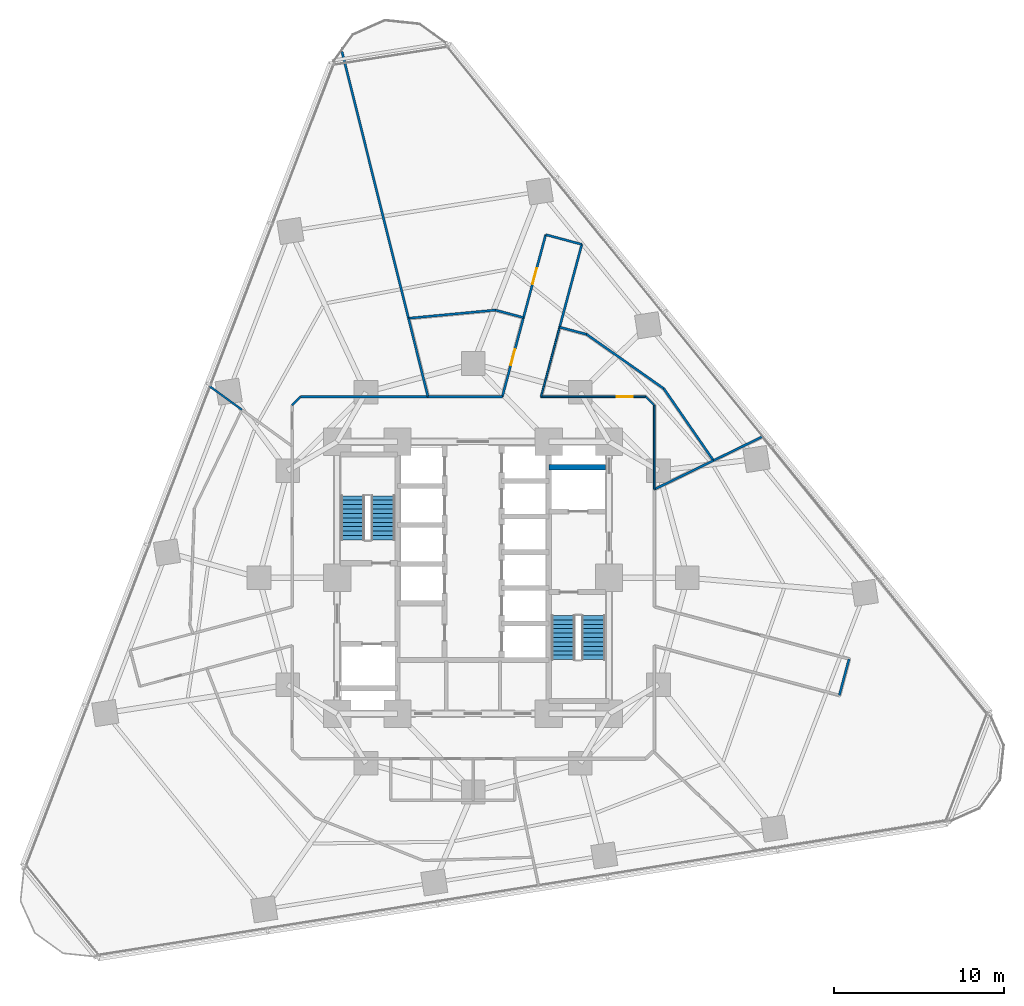
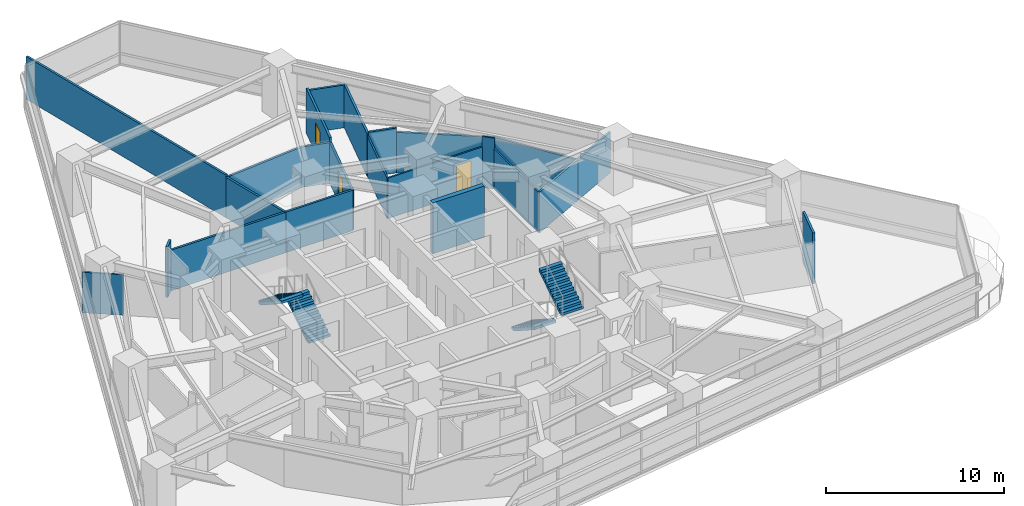
# One storey, part 9 of 14: 23 walls, 4 stair flights, 3 doors, 3 openings, 2 elements without a shape of their own.
"""IFC4 building model written with IfcOpenShell, lengths in metres."""

from ifc_helpers import new_model, si_unit, direction, frame, frame_2d, origin, place, context, subcontext, project, spatial, polyline, rectangle, outline, extrude, material, layer, layer_set, type_object, element, fill, aggregate, save


model = new_model("IFC4")

# Units and contexts
model_context = context("Model", 3, precision=1e-05, world=origin(), true_north=direction((0.0, 1.0)))
body_context = subcontext(model_context, "Body", "Model", "MODEL_VIEW")
ifc_project = project(units=[si_unit("LENGTHUNIT", "METRE"), si_unit("AREAUNIT", "SQUARE_METRE"), si_unit("VOLUMEUNIT", "CUBIC_METRE"), si_unit("PLANEANGLEUNIT", "RADIAN"), si_unit("MASSUNIT", "GRAM", prefix="KILO")], contexts=[model_context])

# Site, building, storey
site_placement = place(None, origin())
site = spatial("IfcSite", under=ifc_project, at=site_placement, CompositionType="ELEMENT")
building_placement = place(site_placement, origin())
building = spatial("IfcBuilding", under=site, at=building_placement, Name="Terralouvre Media Tower", CompositionType="ELEMENT")
storey_placement = place(building_placement, frame((0.0, 0.0, 70.39990234375)))
storey = spatial("IfcBuildingStorey", under=building, at=storey_placement, Name="L17", CompositionType="ELEMENT", Elevation=70.39990234375)

# Walls
ifc_material_1 = material(Name="Concrete C50/60", Category="concrete")
ifc_layer_1 = layer(ifc_material_1, 0.300048828125, Name="Core Internal Shaft Wall CW-300")
ifc_layer_set_1 = layer_set([ifc_layer_1], Name="Concrete C50/60")
wall_type_1 = type_object("IfcWallType", Name="Core Internal Shaft Wall CW-300", PredefinedType="SHEAR", material=ifc_layer_set_1)
wall_1_placement = place(storey_placement, frame((4.449951171875, 6.5, 0.0), z_axis=(0.0, 0.0, 1.0), x_axis=(1.0, 0.0, 0.0)))
element("IfcWall", 1, at=wall_1_placement, inside=storey, type_object=wall_type_1, Name="L17 Core Shaft Wall FF2N", PredefinedType="SHEAR", context=body_context, shape_type="SweptSolid", body=[
    extrude(rectangle(XDim=3.340087890625, YDim=0.300048828125, at=frame_2d((1.669921875, 0.0))), origin(), (0.0, 0.0, 1.0), 3.5),
])
ifc_material_2 = material(Name="Low-iron laminated double glazing with solar-control coating", Category="glass")
ifc_layer_2 = layer(ifc_material_2, 0.10009765625, Name="Demountable Glazed Office Partition PT-GL100")
ifc_layer_set_2 = layer_set([ifc_layer_2], Name="Low-iron laminated double glazing with solar-control coating")
wall_type_2 = type_object("IfcWallType", Name="Demountable Glazed Office Partition PT-GL100", PredefinedType="MOVABLE", material=ifc_layer_set_2)
wall_2_placement = place(storey_placement, frame((10.64990234375, 5.194091796875, 0.0), z_axis=(0.0, 0.0, 1.0), x_axis=(0.0, 1.0, 0.0)))
element("IfcWall", 2, at=wall_2_placement, inside=storey, type_object=wall_type_2, Name="L17 Interior Partition 020", PredefinedType="MOVABLE", context=body_context, shape_type="SweptSolid", body=[
    extrude(rectangle(XDim=4.955810546875, YDim=0.10009765625, at=frame_2d((2.47802734375, 0.0))), origin(), (0.0, 0.0, 1.0), 2.78515625),
])
wall_3_placement = place(storey_placement, frame((10.64990234375, 10.14990234375, 0.0), z_axis=(0.0, 0.0, 1.0), x_axis=(-0.707106781187, 0.707106781187, 0.0)))
element("IfcWall", 3, at=wall_3_placement, inside=storey, type_object=wall_type_2, Name="L17 Interior Partition 021", PredefinedType="MOVABLE", context=body_context, shape_type="SweptSolid", body=[
    extrude(rectangle(XDim=0.70703125, YDim=0.10009765625, at=frame_2d((0.353515625, 0.0))), origin(), (0.0, 0.0, 1.0), 3.5),
])

# Wall, opening, door
wall_4_placement = place(storey_placement, frame((10.14990234375, 10.64990234375, 0.0), z_axis=(0.0, 0.0, 1.0), x_axis=(-1.0, 0.0, 0.0)))
wall_4 = element("IfcWall", 4, at=wall_4_placement, inside=storey, type_object=wall_type_2, Name="L17 Interior Partition 022", PredefinedType="MOVABLE", context=body_context, shape_type="SweptSolid", body=[
    extrude(rectangle(XDim=6.157958984375, YDim=0.10009765625, at=frame_2d((3.0791015625, 0.0))), origin(), (0.0, 0.0, 1.0), 2.78515625),
])
opening_1_placement = place(wall_4_placement, frame((0.756591796875, 0.0, 0.0)))
opening_1 = element("IfcOpeningElement", 5, at=opening_1_placement, cuts=wall_4, Name="Opening ID-02-95X210", PredefinedType="OPENING", context=body_context, shape_type="SweptSolid", body=[
    extrude(rectangle(XDim=0.949951171875, YDim=2.10009765625, at=frame_2d((0.47509765625, 1.050048828125))), frame((0.0, 0.06005859375, 0.0), z_axis=(0.0, -1.0, 0.0), x_axis=(1.0, 0.0, 0.0)), (0.0, 0.0, 1.0), 0.1201171875),
])
ifc_material_3 = material(Name="Engineered hardwood acoustic timber leaf", Category="wood")
door_type = type_object("IfcDoorType", Name="Office and Meeting Room Door ID-02 (950x2100)", OperationType="NOTDEFINED", PredefinedType="DOOR", material=ifc_material_3)
door_1_placement = place(opening_1_placement, origin())
door_1 = element("IfcDoor", 6, at=door_1_placement, inside=storey, type_object=door_type, Name="L17 Program Schedule Briefing Room 7 Door", OperationType="SINGLE_SWING_RIGHT", OverallHeight=2.10009765625, OverallWidth=0.949951171875, PredefinedType="DOOR", context=body_context, shape_type="SweptSolid", body=[
    extrude(rectangle(XDim=0.949951171875, YDim=2.10009765625, at=frame_2d((0.47509765625, 1.050048828125))), frame((0.0, 0.02490234375, 0.0), z_axis=(0.0, -1.0, 0.0), x_axis=(1.0, 0.0, 0.0)), (0.0, 0.0, 1.0), 0.050048828125),
])
fill(opening_1, door_1)

# Walls
wall_5_placement = place(storey_placement, frame((3.991943359375, 10.64990234375, 0.0), z_axis=(0.0, 0.0, 1.0), x_axis=(0.258975157658, 0.965883982534, 0.0)))
element("IfcWall", 7, at=wall_5_placement, inside=storey, type_object=wall_type_2, Name="L17 Interior Partition 023", PredefinedType="MOVABLE", context=body_context, shape_type="SweptSolid", body=[
    extrude(rectangle(XDim=4.236572265625, YDim=0.10009765625, at=frame_2d((2.1181640625, 0.0))), origin(), (0.0, 0.0, 1.0), 2.78515625),
])
ifc_material_4 = material(Name="Fire-rated gypsum board drywall partition")
ifc_layer_3 = layer(ifc_material_4, 0.135009765625, Name="Newsroom Acoustic Partition PT-135")
ifc_layer_set_3 = layer_set([ifc_layer_3], Name="Fire-rated gypsum board drywall partition")
wall_type_3 = type_object("IfcWallType", Name="Newsroom Acoustic Partition PT-135", PredefinedType="PARTITIONING", material=ifc_layer_set_3)
wall_6_placement = place(storey_placement, frame((21.544921875, -6.912109375, 0.0), z_axis=(0.0, 0.0, 1.0), x_axis=(0.259105843213, 0.965848933329, 0.0)))
element("IfcWall", 8, at=wall_6_placement, inside=storey, type_object=wall_type_3, Name="L17 Interior Partition 003", PredefinedType="PARTITIONING", context=body_context, shape_type="SweptSolid", body=[
    extrude(rectangle(XDim=2.2001953125, YDim=0.135009765625, at=frame_2d((1.10009765625, 0.0))), origin(), (0.0, 0.0, 1.0), 3.5),
])

# Wall, opening, door
wall_7_placement = place(storey_placement, frame((2.962890625, 15.305908203125, 0.0), z_axis=(0.0, 0.0, 1.0), x_axis=(-0.25886350996, -0.965913910869, 0.0)))
wall_7 = element("IfcWall", 9, at=wall_7_placement, inside=storey, type_object=wall_type_3, Name="L17 Interior Partition 010", PredefinedType="PARTITIONING", context=body_context, shape_type="SweptSolid", body=[
    extrude(rectangle(XDim=4.8203125, YDim=0.135009765625, at=frame_2d((2.41015625, 0.0))), origin(), (0.0, 0.0, 1.0), 2.78515625),
])
opening_2_placement = place(wall_7_placement, frame((1.935302734375, 0.0, 0.0)))
opening_2 = element("IfcOpeningElement", 10, at=opening_2_placement, cuts=wall_7, Name="Opening ID-02-95X210", PredefinedType="OPENING", context=body_context, shape_type="SweptSolid", body=[
    extrude(rectangle(XDim=0.949951171875, YDim=2.10009765625, at=frame_2d((0.47509765625, 1.050048828125))), frame((0.0, 0.077392578125, 0.0), z_axis=(0.0, -1.0, 0.0), x_axis=(1.0, 0.0, 0.0)), (0.0, 0.0, 1.0), 0.155029296875),
])
door_2_placement = place(opening_2_placement, origin())
door_2 = element("IfcDoor", 11, at=door_2_placement, inside=storey, type_object=door_type, Name="L17 Editorial Collaborative Open Office 3 Door", OperationType="SINGLE_SWING_RIGHT", OverallHeight=2.10009765625, OverallWidth=0.949951171875, PredefinedType="DOOR", context=body_context, shape_type="SweptSolid", body=[
    extrude(rectangle(XDim=0.949951171875, YDim=2.10009765625, at=frame_2d((0.47509765625, 1.050048828125))), frame((0.0, 0.02490234375, 0.0), z_axis=(0.0, -1.0, 0.0), x_axis=(1.0, 0.0, 0.0)), (0.0, 0.0, 1.0), 0.050048828125),
])
fill(opening_2, door_2)

# Walls
wall_8_placement = place(storey_placement, frame((1.715087890625, 10.64990234375, 0.0), z_axis=(0.0, 0.0, 1.0), x_axis=(-1.0, 0.0, 0.0)))
element("IfcWall", 12, at=wall_8_placement, inside=storey, type_object=wall_type_3, Name="L17 Interior Partition 011", PredefinedType="PARTITIONING", context=body_context, shape_type="SweptSolid", body=[
    extrude(rectangle(XDim=4.3701171875, YDim=0.135009765625, at=frame_2d((2.18505859375, 0.0))), origin(), (0.0, 0.0, 1.0), 2.78515625),
])
wall_9_placement = place(storey_placement, frame((5.089111328125, 14.741943359375, 0.0), z_axis=(0.0, 0.0, 1.0), x_axis=(0.258768350918, 0.965939408329, 0.0)))
element("IfcWall", 13, at=wall_9_placement, inside=storey, type_object=wall_type_3, Name="L17 Interior Partition 015", PredefinedType="PARTITIONING", context=body_context, shape_type="SweptSolid", body=[
    extrude(rectangle(XDim=5.04296875, YDim=0.135009765625, at=frame_2d((2.521484375, 0.0))), origin(), (0.0, 0.0, 1.0), 2.93505859375),
])
wall_10_placement = place(storey_placement, frame((6.39404296875, 19.613037109375, 0.0), z_axis=(0.0, 0.0, 1.0), x_axis=(-0.965848933329, 0.259105843213, 0.0)))
element("IfcWall", 14, at=wall_10_placement, inside=storey, type_object=wall_type_3, Name="L17 Interior Partition 016", PredefinedType="PARTITIONING", context=body_context, shape_type="SweptSolid", body=[
    extrude(rectangle(XDim=2.2001953125, YDim=0.135009765625, at=frame_2d((1.10009765625, 0.0))), origin(), (0.0, 0.0, 1.0), 2.93505859375),
])

# Wall, opening, door
wall_11_placement = place(storey_placement, frame((4.26904296875, 20.18310546875, 0.0), z_axis=(0.0, 0.0, 1.0), x_axis=(-0.258691774004, -0.965959919491, 0.0)))
wall_11 = element("IfcWall", 15, at=wall_11_placement, inside=storey, type_object=wall_type_3, Name="L17 Interior Partition 017", PredefinedType="PARTITIONING", context=body_context, shape_type="SweptSolid", body=[
    extrude(rectangle(XDim=5.049072265625, YDim=0.135009765625, at=frame_2d((2.5244140625, 0.0))), origin(), (0.0, 0.0, 1.0), 3.085205078125),
])
opening_3_placement = place(wall_11_placement, frame((2.04931640625, 0.0, 0.0)))
opening_3 = element("IfcOpeningElement", 16, at=opening_3_placement, cuts=wall_11, Name="Opening ID-02-95X210", PredefinedType="OPENING", context=body_context, shape_type="SweptSolid", body=[
    extrude(rectangle(XDim=0.949951171875, YDim=2.10009765625, at=frame_2d((0.47509765625, 1.050048828125))), frame((0.0, 0.077392578125, 0.0), z_axis=(0.0, -1.0, 0.0), x_axis=(1.0, 0.0, 0.0)), (0.0, 0.0, 1.0), 0.155029296875),
])
door_3_placement = place(opening_3_placement, origin())
door_3 = element("IfcDoor", 17, at=door_3_placement, inside=storey, type_object=door_type, Name="L17 Microphone Locker Store 5 Door", OperationType="SINGLE_SWING_RIGHT", OverallHeight=2.10009765625, OverallWidth=0.949951171875, PredefinedType="DOOR", context=body_context, shape_type="SweptSolid", body=[
    extrude(rectangle(XDim=0.949951171875, YDim=2.10009765625, at=frame_2d((0.47509765625, 1.050048828125))), frame((0.0, 0.02490234375, 0.0), z_axis=(0.0, -1.0, 0.0), x_axis=(1.0, 0.0, 0.0)), (0.0, 0.0, 1.0), 0.050048828125),
])
fill(opening_3, door_3)

# Walls
wall_12_placement = place(storey_placement, frame((-2.655029296875, 10.64990234375, 0.0), z_axis=(0.0, 0.0, 1.0), x_axis=(-1.0, 0.0, 0.0)))
element("IfcWall", 18, at=wall_12_placement, inside=storey, type_object=wall_type_3, Name="L17 Interior Partition 029", PredefinedType="PARTITIONING", context=body_context, shape_type="SweptSolid", body=[
    extrude(rectangle(XDim=7.494873046875, YDim=0.135009765625, at=frame_2d((3.74755859375, 0.0))), origin(), (0.0, 0.0, 1.0), 2.78515625),
])
wall_13_placement = place(storey_placement, frame((-10.14990234375, 10.64990234375, 0.0), z_axis=(0.0, 0.0, 1.0), x_axis=(-0.707106781187, -0.707106781187, 0.0)))
element("IfcWall", 19, at=wall_13_placement, inside=storey, type_object=wall_type_3, Name="L17 Interior Partition 030", PredefinedType="PARTITIONING", context=body_context, shape_type="SweptSolid", body=[
    extrude(rectangle(XDim=0.70703125, YDim=0.135009765625, at=frame_2d((0.353515625, 0.0))), origin(), (0.0, 0.0, 1.0), 3.5),
])
wall_14_placement = place(storey_placement, frame((17.081787109375, 8.33203125, 0.0), z_axis=(0.0, 0.0, 1.0), x_axis=(-0.898652301999, -0.438661646503, 0.0)))
element("IfcWall", 20, at=wall_14_placement, inside=storey, type_object=wall_type_3, Name="L17 Interior Partition 032", PredefinedType="PARTITIONING", context=body_context, shape_type="SweptSolid", body=[
    extrude(rectangle(XDim=3.273681640625, YDim=0.135009765625, at=frame_2d((1.63671875, 0.0))), origin(), (0.0, 0.0, 1.0), 2.78515625),
])
wall_15_placement = place(storey_placement, frame((14.139892578125, 6.89599609375, 0.0), z_axis=(0.0, 0.0, 1.0), x_axis=(-0.898822220958, -0.438313375467, 0.0)))
element("IfcWall", 21, at=wall_15_placement, inside=storey, type_object=wall_type_3, Name="L17 Interior Partition 033", PredefinedType="PARTITIONING", context=body_context, shape_type="SweptSolid", body=[
    extrude(rectangle(XDim=3.8828125, YDim=0.135009765625, at=frame_2d((1.94140625, 0.0))), origin(), (0.0, 0.0, 1.0), 2.78515625),
])
wall_16_placement = place(storey_placement, frame((2.962890625, 15.305908203125, 0.0), z_axis=(0.0, 0.0, 1.0), x_axis=(-0.966393308076, 0.257068034001, 0.0)))
element("IfcWall", 22, at=wall_16_placement, inside=storey, type_object=wall_type_3, Name="L17 Interior Partition 045", PredefinedType="PARTITIONING", context=body_context, shape_type="SweptSolid", body=[
    extrude(rectangle(XDim=1.71240234375, YDim=0.135009765625, at=frame_2d((0.856201171875, 0.0))), origin(), (0.0, 0.0, 1.0), 2.78515625),
])
wall_17_placement = place(storey_placement, frame((1.30810546875, 15.74609375, 0.0), z_axis=(0.0, 0.0, 1.0), x_axis=(-0.995602282193, -0.09368081817, 0.0)))
element("IfcWall", 23, at=wall_17_placement, inside=storey, type_object=wall_type_3, Name="L17 Interior Partition 046", PredefinedType="PARTITIONING", context=body_context, shape_type="SweptSolid", body=[
    extrude(rectangle(XDim=5.13671875, YDim=0.135009765625, at=frame_2d((2.568359375, 0.0))), origin(), (0.0, 0.0, 1.0), 2.78515625),
])
wall_18_placement = place(storey_placement, frame((-3.805908203125, 15.264892578125, 0.0), z_axis=(0.0, 0.0, 1.0), x_axis=(0.241967938053, -0.970284245443, 0.0)))
element("IfcWall", 24, at=wall_18_placement, inside=storey, type_object=wall_type_3, Name="L17 Interior Partition 047", PredefinedType="PARTITIONING", context=body_context, shape_type="SweptSolid", body=[
    extrude(rectangle(XDim=4.75634765625, YDim=0.135009765625, at=frame_2d((2.378173828125, 0.0))), origin(), (0.0, 0.0, 1.0), 2.78515625),
])
wall_19_placement = place(storey_placement, frame((5.089111328125, 14.741943359375, 0.0), z_axis=(0.0, 0.0, 1.0), x_axis=(0.966471299447, -0.256774662584, 0.0)))
element("IfcWall", 25, at=wall_19_placement, inside=storey, type_object=wall_type_3, Name="L17 Interior Partition 053", PredefinedType="PARTITIONING", context=body_context, shape_type="SweptSolid", body=[
    extrude(rectangle(XDim=1.64306640625, YDim=0.135009765625, at=frame_2d((0.821533203125, 0.0))), origin(), (0.0, 0.0, 1.0), 3.085205078125),
])
wall_20_placement = place(storey_placement, frame((6.677001953125, 14.320068359375, 0.0), z_axis=(0.0, 0.0, 1.0), x_axis=(0.817854672362, -0.575424829926, 0.0)))
element("IfcWall", 26, at=wall_20_placement, inside=storey, type_object=wall_type_3, Name="L17 Interior Partition 054", PredefinedType="PARTITIONING", context=body_context, shape_type="SweptSolid", body=[
    extrude(rectangle(XDim=5.555908203125, YDim=0.135009765625, at=frame_2d((2.77783203125, 0.0))), origin(), (0.0, 0.0, 1.0), 2.78515625),
])
wall_21_placement = place(storey_placement, frame((11.220947265625, 11.123046875, 0.0), z_axis=(0.0, 0.0, 1.0), x_axis=(0.568225964568, -0.822872561938, 0.0)))
element("IfcWall", 27, at=wall_21_placement, inside=storey, type_object=wall_type_3, Name="L17 Interior Partition 055", PredefinedType="PARTITIONING", context=body_context, shape_type="SweptSolid", body=[
    extrude(rectangle(XDim=5.136962890625, YDim=0.135009765625, at=frame_2d((2.568359375, 0.0))), origin(), (0.0, 0.0, 1.0), 2.78515625),
])
wall_22_placement = place(storey_placement, frame((-7.7177734375, 30.9541015625, 0.0), z_axis=(0.0, 0.0, 1.0), x_axis=(0.241928072824, -0.9702941861, 0.0)))
element("IfcWall", 28, at=wall_22_placement, inside=storey, type_object=wall_type_3, Name="L17 Interior Partition 056", PredefinedType="PARTITIONING", context=body_context, shape_type="SweptSolid", body=[
    extrude(rectangle(XDim=16.16943359375, YDim=0.135009765625, at=frame_2d((8.084716796875, 0.0))), origin(), (0.0, 0.0, 1.0), 2.93505859375),
])
ifc_material_5 = material(Name="Fire-rated gypsum board drywall partition")
ifc_layer_4 = layer(ifc_material_5, 0.114990234375, Name="Restroom and Pantry Partition PT-115")
ifc_layer_set_4 = layer_set([ifc_layer_4], Name="Fire-rated gypsum board drywall partition")
wall_type_4 = type_object("IfcWallType", Name="Restroom and Pantry Partition PT-115", PredefinedType="PARTITIONING", material=ifc_layer_set_4)
wall_23_placement = place(storey_placement, frame((-13.60302734375, 9.883056640625, 0.0), z_axis=(0.0, 0.0, 1.0), x_axis=(-0.808955448279, 0.587869953901, 0.0)))
element("IfcWall", 29, at=wall_23_placement, inside=storey, type_object=wall_type_4, Name="L17 Interior Partition 052", PredefinedType="PARTITIONING", context=body_context, shape_type="SweptSolid", body=[
    extrude(rectangle(XDim=2.357666015625, YDim=0.114990234375, at=frame_2d((1.1787109375, 0.0))), origin(), (0.0, 0.0, 1.0), 2.78515625),
])

# Stair, stair flights
ifc_material_6 = material(Name="Concrete C45/55", Category="concrete")
stair_type_1 = type_object("IfcStairType", Name="Dogleg Stair Assembly ST-01", PredefinedType="HALF_TURN_STAIR", material=ifc_material_6)
stair_1_placement = place(storey_placement, origin())
stair_1 = element("IfcStair", 30, at=stair_1_placement, inside=storey, type_object=stair_type_1, Name="L17 Core Pressurised Exit Stair ST-01", PredefinedType="HALF_TURN_STAIR")
ifc_material_7 = material(Name="Concrete C45/55", Category="concrete")
stair_flight_type = type_object("IfcStairFlightType", Name="Reinforced Concrete Stair Flight SF-RC1", PredefinedType="STRAIGHT", material=ifc_material_7)
stair_flight_1_placement = place(storey_placement, frame((-5.300048828125, 2.219970703125, 0.0), z_axis=(0.0, 0.0, 1.0), x_axis=(0.0, 1.0, 0.0)))
stair_flight_1 = element("IfcStairFlight", 31, at=stair_flight_1_placement, type_object=stair_flight_type, Name="ST-01 flight 1", NumberOfRisers=11, NumberOfTreads=10, PredefinedType="STRAIGHT", RiserHeight=0.168181818, TreadLength=0.26, context=body_context, shape_type="SweptSolid", body=[
    extrude(outline(polyline([(0.0, 0.0), (0.0, 0.168212890625), (0.260009765625, 0.168212890625), (0.260009765625, 0.33642578125), (0.52001953125, 0.33642578125), (0.52001953125, 0.504638671875), (0.780029296875, 0.504638671875), (0.780029296875, 0.672607421875), (1.0400390625, 0.672607421875), (1.0400390625, 0.8408203125), (1.300048828125, 0.8408203125), (1.300048828125, 1.009033203125), (1.56005859375, 1.009033203125), (1.56005859375, 1.17724609375), (1.820068359375, 1.17724609375), (1.820068359375, 1.345458984375), (2.080078125, 1.345458984375), (2.080078125, 1.513671875), (2.340087890625, 1.513671875), (2.340087890625, 1.681884765625), (2.60009765625, 1.681884765625), (2.60009765625, 1.85009765625), (2.60009765625, 1.503173828125), (0.27587890625, 0.0), (0.0, 0.0)])), frame((0.0, 0.699951171875, 0.0), z_axis=(0.0, -1.0, 0.0), x_axis=(1.0, 0.0, 0.0)), (0.0, 0.0, 1.0), 1.39990234375),
])
stair_flight_2_placement = place(storey_placement, frame((-7.080078125, 4.820068359375, 1.85009765625), z_axis=(0.0, 0.0, 1.0), x_axis=(0.0, -1.0, 0.0)))
stair_flight_2 = element("IfcStairFlight", 32, at=stair_flight_2_placement, type_object=stair_flight_type, Name="ST-01 flight 2", NumberOfRisers=11, NumberOfTreads=10, PredefinedType="STRAIGHT", RiserHeight=0.168181818, TreadLength=0.26, context=body_context, shape_type="SweptSolid", body=[
    extrude(outline(polyline([(0.0, 0.0), (0.0, 0.168212890625), (0.260009765625, 0.168212890625), (0.260009765625, 0.33642578125), (0.52001953125, 0.33642578125), (0.52001953125, 0.504638671875), (0.780029296875, 0.504638671875), (0.780029296875, 0.672607421875), (1.0400390625, 0.672607421875), (1.0400390625, 0.8408203125), (1.300048828125, 0.8408203125), (1.300048828125, 1.009033203125), (1.56005859375, 1.009033203125), (1.56005859375, 1.17724609375), (1.820068359375, 1.17724609375), (1.820068359375, 1.345458984375), (2.080078125, 1.345458984375), (2.080078125, 1.513671875), (2.340087890625, 1.513671875), (2.340087890625, 1.681884765625), (2.60009765625, 1.681884765625), (2.60009765625, 1.85009765625), (2.60009765625, 1.503173828125), (0.27587890625, 0.0), (0.0, 0.0)])), frame((0.0, 0.699951171875, 0.0), z_axis=(0.0, -1.0, 0.0), x_axis=(1.0, 0.0, 0.0)), (0.0, 0.0, 1.0), 1.39990234375),
])
aggregate(stair_1, [stair_flight_1, stair_flight_2])

ifc_material_8 = material(Name="Concrete C45/55", Category="concrete")
stair_type_2 = type_object("IfcStairType", Name="Dogleg Stair Assembly ST-02", PredefinedType="HALF_TURN_STAIR", material=ifc_material_8)
stair_2_placement = place(storey_placement, origin())
stair_2 = element("IfcStair", 33, at=stair_2_placement, inside=storey, type_object=stair_type_2, Name="L17 Core Pressurised Exit Stair ST-02", PredefinedType="HALF_TURN_STAIR")
stair_flight_3_placement = place(storey_placement, frame((5.300048828125, -2.219970703125, 0.0), z_axis=(0.0, 0.0, 1.0), x_axis=(0.0, -1.0, 0.0)))
stair_flight_3 = element("IfcStairFlight", 34, at=stair_flight_3_placement, type_object=stair_flight_type, Name="ST-02 flight 1", NumberOfRisers=11, NumberOfTreads=10, PredefinedType="STRAIGHT", RiserHeight=0.168181818, TreadLength=0.26, context=body_context, shape_type="SweptSolid", body=[
    extrude(outline(polyline([(0.0, 0.0), (0.0, 0.168212890625), (0.260009765625, 0.168212890625), (0.260009765625, 0.33642578125), (0.52001953125, 0.33642578125), (0.52001953125, 0.504638671875), (0.780029296875, 0.504638671875), (0.780029296875, 0.672607421875), (1.0400390625, 0.672607421875), (1.0400390625, 0.8408203125), (1.300048828125, 0.8408203125), (1.300048828125, 1.009033203125), (1.56005859375, 1.009033203125), (1.56005859375, 1.17724609375), (1.820068359375, 1.17724609375), (1.820068359375, 1.345458984375), (2.080078125, 1.345458984375), (2.080078125, 1.513671875), (2.340087890625, 1.513671875), (2.340087890625, 1.681884765625), (2.60009765625, 1.681884765625), (2.60009765625, 1.85009765625), (2.60009765625, 1.503173828125), (0.27587890625, 0.0), (0.0, 0.0)])), frame((0.0, 0.699951171875, 0.0), z_axis=(0.0, -1.0, 0.0), x_axis=(1.0, 0.0, 0.0)), (0.0, 0.0, 1.0), 1.39990234375),
])
stair_flight_4_placement = place(storey_placement, frame((7.080078125, -4.820068359375, 1.85009765625), z_axis=(0.0, 0.0, 1.0), x_axis=(0.0, 1.0, 0.0)))
stair_flight_4 = element("IfcStairFlight", 35, at=stair_flight_4_placement, type_object=stair_flight_type, Name="ST-02 flight 2", NumberOfRisers=11, NumberOfTreads=10, PredefinedType="STRAIGHT", RiserHeight=0.168181818, TreadLength=0.26, context=body_context, shape_type="SweptSolid", body=[
    extrude(outline(polyline([(0.0, 0.0), (0.0, 0.168212890625), (0.260009765625, 0.168212890625), (0.260009765625, 0.33642578125), (0.52001953125, 0.33642578125), (0.52001953125, 0.504638671875), (0.780029296875, 0.504638671875), (0.780029296875, 0.672607421875), (1.0400390625, 0.672607421875), (1.0400390625, 0.8408203125), (1.300048828125, 0.8408203125), (1.300048828125, 1.009033203125), (1.56005859375, 1.009033203125), (1.56005859375, 1.17724609375), (1.820068359375, 1.17724609375), (1.820068359375, 1.345458984375), (2.080078125, 1.345458984375), (2.080078125, 1.513671875), (2.340087890625, 1.513671875), (2.340087890625, 1.681884765625), (2.60009765625, 1.681884765625), (2.60009765625, 1.85009765625), (2.60009765625, 1.503173828125), (0.27587890625, 0.0), (0.0, 0.0)])), frame((0.0, 0.699951171875, 0.0), z_axis=(0.0, -1.0, 0.0), x_axis=(1.0, 0.0, 0.0)), (0.0, 0.0, 1.0), 1.39990234375),
])
aggregate(stair_2, [stair_flight_3, stair_flight_4])

save(model, "model.ifc")
